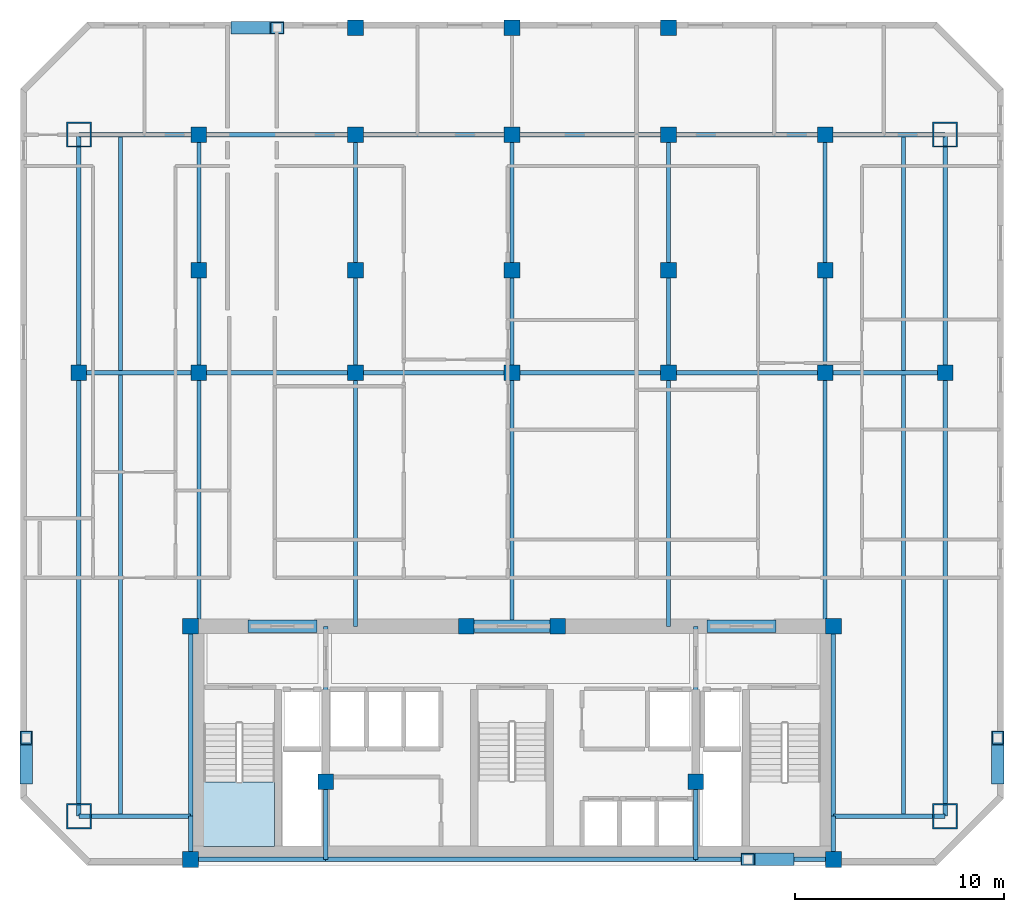
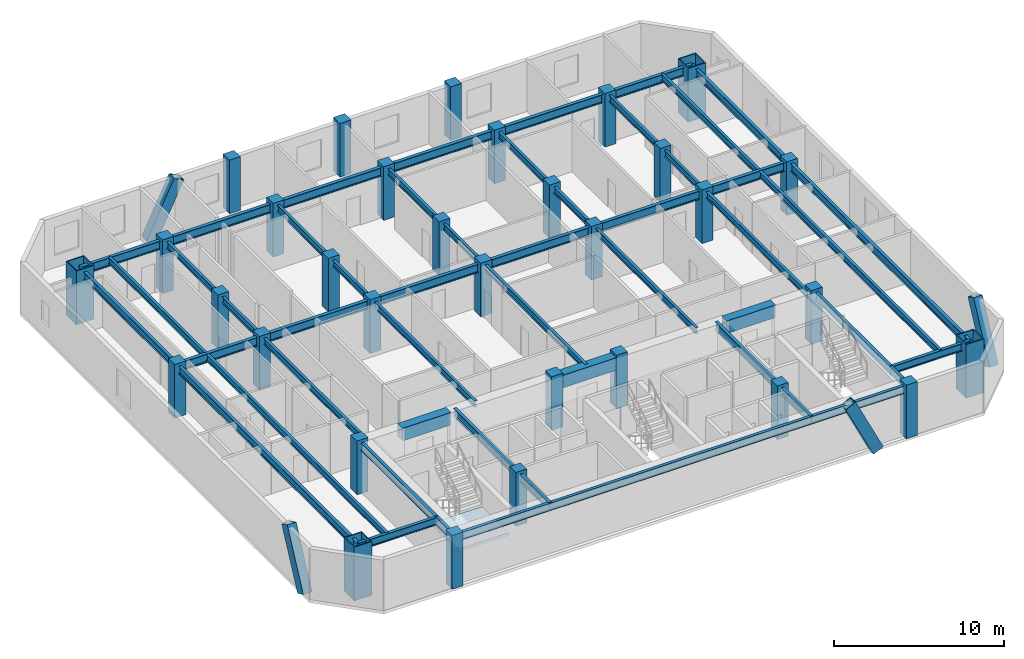
# One storey, part 1 of 8: 46 beams, 32 columns, 4 members, 1 slab, 1 element without a shape of its own.
"""IFC4 building model written with IfcOpenShell, lengths in metres."""

from ifc_helpers import new_model, si_unit, direction, frame, origin, origin_2d, place, context, subcontext, project, spatial, polyline, rectangle, hollow_rectangle, i_section, outline, extrude, material, layer, layer_set, material_profile, profile_set, type_object, element, aggregate, save


model = new_model("IFC4")

# Units and contexts
model_context = context("Model", 3, precision=1e-05, world=origin(), true_north=direction((0.0, 1.0)))
body_context = subcontext(model_context, "Body", "Model", "MODEL_VIEW")
ifc_project = project(units=[si_unit("LENGTHUNIT", "METRE"), si_unit("AREAUNIT", "SQUARE_METRE"), si_unit("VOLUMEUNIT", "CUBIC_METRE"), si_unit("PLANEANGLEUNIT", "RADIAN"), si_unit("MASSUNIT", "GRAM", prefix="KILO")], contexts=[model_context])

# Site, building, storey
site_placement = place(None, origin())
site = spatial("IfcSite", under=ifc_project, at=site_placement, CompositionType="ELEMENT")
building_placement = place(site_placement, origin())
building = spatial("IfcBuilding", under=site, at=building_placement, Name="Ventersveld Concourse Tower", CompositionType="ELEMENT")
storey_placement = place(building_placement, frame((0.0, 0.0, 160.60009765625)))
storey = spatial("IfcBuildingStorey", under=building, at=storey_placement, Name="L39", CompositionType="ELEMENT", Elevation=160.60009765625)

# Columns
ifc_material_1 = material(Name="Concrete C50/60", Category="concrete")
ifc_material_profile_1 = material_profile(ifc_material_1, rectangle(XDim=0.75, YDim=0.75, at=origin_2d()), Name="RC 750x750")
ifc_profile_set_1 = profile_set([ifc_material_profile_1], Name="Concrete C50/60")
column_type_1 = type_object("IfcColumnType", Name="COL-RC750", PredefinedType="COLUMN", material=ifc_profile_set_1)
for number, where, z_axis, x_axis, name in (
    (1, (13.35009765625, 0.280029296875, 0.0), (0.0, 0.0, 1.0), (1.0, 0.0, 0.0), "L39 Core Spine Column CC-SW"),
    (2, (44.14990234375, 0.280029296875, 0.0), (0.0, 0.0, 1.0), (1.0, 0.0, 0.0), "L39 Core Spine Column CC-SE"),
    (3, (13.35009765625, 11.449951171875, 0.0), (0.0, 0.0, 1.0), (1.0, 0.0, 0.0), "L39 Core Spine Column CC-NW"),
    (4, (44.14990234375, 11.449951171875, 0.0), (0.0, 0.0, 1.0), (1.0, 0.0, 0.0), "L39 Core Spine Column CC-NE"),
    (5, (19.820068359375, 4.0, 0.0), (0.0, 0.0, 1.0), (1.0, 0.0, 0.0), "L39 Core Spine Column CM-1"),
    (6, (37.550048828125, 4.0, 0.0), (0.0, 0.0, 1.0), (1.0, 0.0, 0.0), "L39 Core Spine Column CM-2"),
    (7, (26.550048828125, 11.449951171875, 0.0), (0.0, 0.0, 1.0), (1.0, 0.0, 0.0), "L39 Core Spine Column CM-3"),
    (8, (30.949951171875, 11.449951171875, 0.0), (0.0, 0.0, 1.0), (1.0, 0.0, 0.0), "L39 Core Spine Column CM-4"),
    (9, (8.0, 23.60009765625, 0.0), (0.0, 0.0, 1.0), (1.0, 0.0, 0.0), "L39 Interior Gravity Column X=8.00 Y=23.60"),
    (10, (13.75, 23.60009765625, 0.0), (0.0, 0.0, 1.0), (1.0, 0.0, 0.0), "L39 Interior Gravity Column X=13.75 Y=23.60"),
    (11, (21.25, 23.60009765625, 0.0), (0.0, 0.0, 1.0), (1.0, 0.0, 0.0), "L39 Interior Gravity Column X=21.25 Y=23.60"),
    (12, (28.75, 23.60009765625, 0.0), (0.0, 0.0, 1.0), (1.0, 0.0, 0.0), "L39 Interior Gravity Column X=28.75 Y=23.60"),
    (13, (36.25, 23.60009765625, 0.0), (0.0, 0.0, 1.0), (1.0, 0.0, 0.0), "L39 Interior Gravity Column X=36.25 Y=23.60"),
    (14, (43.75, 23.60009765625, 0.0), (0.0, 0.0, 1.0), (1.0, 0.0, 0.0), "L39 Interior Gravity Column X=43.75 Y=23.60"),
    (15, (49.5, 23.60009765625, 0.0), (0.0, 0.0, 1.0), (1.0, 0.0, 0.0), "L39 Interior Gravity Column X=49.50 Y=23.60"),
    (16, (13.75, 28.5, 0.0), (0.0, 0.0, 1.0), (1.0, 0.0, 0.0), "L39 Upper-North Gravity Column X=13.75 Y=28.50"),
    (17, (21.25, 28.5, 0.0), (0.0, 0.0, 1.0), (1.0, 0.0, 0.0), "L39 Upper-North Gravity Column X=21.25 Y=28.50"),
    (18, (28.75, 28.5, 0.0), (0.0, 0.0, 1.0), (1.0, 0.0, 0.0), "L39 Upper-North Gravity Column X=28.75 Y=28.50"),
    (19, (36.25, 28.5, 0.0), (0.0, 0.0, 1.0), (1.0, 0.0, 0.0), "L39 Upper-North Gravity Column X=36.25 Y=28.50"),
    (20, (43.75, 28.5, 0.0), (0.0, 0.0, 1.0), (1.0, 0.0, 0.0), "L39 Upper-North Gravity Column X=43.75 Y=28.50"),
    (21, (21.25, 40.1201171875, 0.0), (0.0, 0.0, 1.0), (1.0, 0.0, 0.0), "L39 North Brace Node Column X=21.25 Y=40.12"),
    (22, (28.75, 40.1201171875, 0.0), (0.0, 0.0, 1.0), (1.0, 0.0, 0.0), "L39 North Brace Node Column X=28.75 Y=40.12"),
    (23, (36.25, 40.1201171875, 0.0), (0.0, 0.0, 1.0), (1.0, 0.0, 0.0), "L39 North Brace Node Column X=36.25 Y=40.12"),
    (24, (13.75, 35.0, 0.0), (0.0, 0.0, 1.0), (1.0, 0.0, 0.0), "L39 Mid-North Column X=13.75 Y=35.00"),
    (25, (21.25, 35.0, 0.0), (0.0, 0.0, 1.0), (1.0, 0.0, 0.0), "L39 Mid-North Column X=21.25 Y=35.00"),
    (26, (28.75, 35.0, 0.0), (0.0, 0.0, 1.0), (1.0, 0.0, 0.0), "L39 Mid-North Column X=28.75 Y=35.00"),
    (27, (36.25, 35.0, 0.0), (0.0, 0.0, 1.0), (1.0, 0.0, 0.0), "L39 Mid-North Column X=36.25 Y=35.00"),
    (28, (43.75, 35.0, 0.0), (0.0, 0.0, 1.0), (1.0, 0.0, 0.0), "L39 Mid-North Column X=43.75 Y=35.00"),
):
    element("IfcColumn", number, at=place(storey_placement, frame(where, z_axis=z_axis, x_axis=x_axis)), inside=storey, type_object=column_type_1, Name=name, PredefinedType="COLUMN", context=body_context, shape_type="SweptSolid", body=[
        extrude(rectangle(XDim=0.75, YDim=0.75, at=origin_2d()), origin(), (0.0, 0.0, 1.0), 3.849853515625),
    ])
ifc_material_2 = material(Name="Structural steel S460ML", Category="steel")
ifc_material_profile_2 = material_profile(ifc_material_2, hollow_rectangle(XDim=1.199951171875, YDim=1.199951171875, WallThickness=0.070068359375, at=origin_2d()), Name="BOX 1200x1200x70")
ifc_profile_set_2 = profile_set([ifc_material_profile_2], Name="Structural steel S460ML")
column_type_2 = type_object("IfcColumnType", Name="MC-1200", PredefinedType="USERDEFINED", material=ifc_profile_set_2)
for number, where, z_axis, x_axis, name in (
    (29, (8.0, 2.35009765625, 0.0), (0.0, 0.0, 1.0), (1.0, 0.0, 0.0), "L39 Corner Mega-Column MC-SW"),
    (30, (49.5, 2.35009765625, 0.0), (0.0, 0.0, 1.0), (1.0, 0.0, 0.0), "L39 Corner Mega-Column MC-SE"),
    (31, (49.5, 35.0, 0.0), (0.0, 0.0, 1.0), (1.0, 0.0, 0.0), "L39 Corner Mega-Column MC-NE"),
    (32, (8.0, 35.0, 0.0), (0.0, 0.0, 1.0), (1.0, 0.0, 0.0), "L39 Corner Mega-Column MC-NW"),
):
    element("IfcColumn", number, at=place(storey_placement, frame(where, z_axis=z_axis, x_axis=x_axis)), inside=storey, type_object=column_type_2, Name=name, ObjectType="MEGA_COLUMN", PredefinedType="USERDEFINED", context=body_context, shape_type="SweptSolid", body=[
        extrude(hollow_rectangle(XDim=1.199951171875, YDim=1.199951171875, WallThickness=0.070068359375, at=origin_2d()), origin(), (0.0, 0.0, 1.0), 3.849853515625),
    ])

# Beams
ifc_material_3 = material(Name="Structural steel S355J2", Category="steel")
ifc_material_profile_3 = material_profile(ifc_material_3, i_section(OverallWidth=0.18994140625, OverallDepth=0.453369140625, WebThickness=0.008544921875, FlangeThickness=0.0126953125, FilletRadius=0.01025390625, at=origin_2d()), Name="UB 457x191x67")
ifc_profile_set_3 = profile_set([ifc_material_profile_3], Name="Structural steel S355J2")
beam_type_1 = type_object("IfcBeamType", Name="BM-UB457", PredefinedType="BEAM", material=ifc_profile_set_3)
beam_1_placement = place(storey_placement, frame((10.0, 2.35009765625, 3.4033203125), z_axis=(0.0, 1.0, 0.0), x_axis=(-1.0, 0.0, 0.0)))
element("IfcBeam", 33, at=beam_1_placement, inside=storey, type_object=beam_type_1, Name="L39 N-S Composite Floor Beam South X=10.00", PredefinedType="BEAM", context=body_context, shape_type="SweptSolid", body=[
    extrude(i_section(OverallWidth=0.18994140625, OverallDepth=0.453369140625, WebThickness=0.008544921875, FlangeThickness=0.0126953125, FilletRadius=0.01025390625, at=origin_2d()), origin(), (0.0, 0.0, 1.0), 21.15478515625),
])
beam_2_placement = place(storey_placement, frame((10.0, 23.695068359375, 3.4033203125), z_axis=(0.0, 1.0, 0.0), x_axis=(-1.0, 0.0, 0.0)))
element("IfcBeam", 34, at=beam_2_placement, inside=storey, type_object=beam_type_1, Name="L39 N-S Composite Floor Beam Mid X=10.00", PredefinedType="BEAM", context=body_context, shape_type="SweptSolid", body=[
    extrude(i_section(OverallWidth=0.18994140625, OverallDepth=0.453369140625, WebThickness=0.008544921875, FlangeThickness=0.0126953125, FilletRadius=0.01025390625, at=origin_2d()), origin(), (0.0, 0.0, 1.0), 11.304931640625),
])
beam_3_placement = place(storey_placement, frame((13.75, 11.449951171875, 3.4033203125), z_axis=(0.0, 1.0, 0.0), x_axis=(-1.0, 0.0, 0.0)))
element("IfcBeam", 35, at=beam_3_placement, inside=storey, type_object=beam_type_1, Name="L39 N-S Composite Floor Beam South X=13.75", PredefinedType="BEAM", context=body_context, shape_type="SweptSolid", body=[
    extrude(i_section(OverallWidth=0.18994140625, OverallDepth=0.453369140625, WebThickness=0.008544921875, FlangeThickness=0.0126953125, FilletRadius=0.01025390625, at=origin_2d()), origin(), (0.0, 0.0, 1.0), 12.150146484375),
])
beam_4_placement = place(storey_placement, frame((13.75, 23.60009765625, 3.4033203125), z_axis=(0.0, 1.0, 0.0), x_axis=(-1.0, 0.0, 0.0)))
element("IfcBeam", 36, at=beam_4_placement, inside=storey, type_object=beam_type_1, Name="L39 N-S Composite Floor Beam Mid X=13.75", PredefinedType="BEAM", context=body_context, shape_type="SweptSolid", body=[
    extrude(i_section(OverallWidth=0.18994140625, OverallDepth=0.453369140625, WebThickness=0.008544921875, FlangeThickness=0.0126953125, FilletRadius=0.01025390625, at=origin_2d()), origin(), (0.0, 0.0, 1.0), 11.39990234375),
])
beam_5_placement = place(storey_placement, frame((21.25, 11.449951171875, 3.4033203125), z_axis=(0.0, 1.0, 0.0), x_axis=(-1.0, 0.0, 0.0)))
element("IfcBeam", 37, at=beam_5_placement, inside=storey, type_object=beam_type_1, Name="L39 N-S Composite Floor Beam South X=21.25", PredefinedType="BEAM", context=body_context, shape_type="SweptSolid", body=[
    extrude(i_section(OverallWidth=0.18994140625, OverallDepth=0.453369140625, WebThickness=0.008544921875, FlangeThickness=0.0126953125, FilletRadius=0.01025390625, at=origin_2d()), origin(), (0.0, 0.0, 1.0), 12.150146484375),
])
beam_6_placement = place(storey_placement, frame((21.25, 23.60009765625, 3.4033203125), z_axis=(0.0, 1.0, 0.0), x_axis=(-1.0, 0.0, 0.0)))
element("IfcBeam", 38, at=beam_6_placement, inside=storey, type_object=beam_type_1, Name="L39 N-S Composite Floor Beam Mid X=21.25", PredefinedType="BEAM", context=body_context, shape_type="SweptSolid", body=[
    extrude(i_section(OverallWidth=0.18994140625, OverallDepth=0.453369140625, WebThickness=0.008544921875, FlangeThickness=0.0126953125, FilletRadius=0.01025390625, at=origin_2d()), origin(), (0.0, 0.0, 1.0), 11.39990234375),
])
beam_7_placement = place(storey_placement, frame((28.75, 11.449951171875, 3.4033203125), z_axis=(0.0, 1.0, 0.0), x_axis=(-1.0, 0.0, 0.0)))
element("IfcBeam", 39, at=beam_7_placement, inside=storey, type_object=beam_type_1, Name="L39 N-S Composite Floor Beam South X=28.75", PredefinedType="BEAM", context=body_context, shape_type="SweptSolid", body=[
    extrude(i_section(OverallWidth=0.18994140625, OverallDepth=0.453369140625, WebThickness=0.008544921875, FlangeThickness=0.0126953125, FilletRadius=0.01025390625, at=origin_2d()), origin(), (0.0, 0.0, 1.0), 12.150146484375),
])
beam_8_placement = place(storey_placement, frame((28.75, 23.60009765625, 3.4033203125), z_axis=(0.0, 1.0, 0.0), x_axis=(-1.0, 0.0, 0.0)))
element("IfcBeam", 40, at=beam_8_placement, inside=storey, type_object=beam_type_1, Name="L39 N-S Composite Floor Beam Mid X=28.75", PredefinedType="BEAM", context=body_context, shape_type="SweptSolid", body=[
    extrude(i_section(OverallWidth=0.18994140625, OverallDepth=0.453369140625, WebThickness=0.008544921875, FlangeThickness=0.0126953125, FilletRadius=0.01025390625, at=origin_2d()), origin(), (0.0, 0.0, 1.0), 11.39990234375),
])
beam_9_placement = place(storey_placement, frame((36.25, 11.449951171875, 3.4033203125), z_axis=(0.0, 1.0, 0.0), x_axis=(-1.0, 0.0, 0.0)))
element("IfcBeam", 41, at=beam_9_placement, inside=storey, type_object=beam_type_1, Name="L39 N-S Composite Floor Beam South X=36.25", PredefinedType="BEAM", context=body_context, shape_type="SweptSolid", body=[
    extrude(i_section(OverallWidth=0.18994140625, OverallDepth=0.453369140625, WebThickness=0.008544921875, FlangeThickness=0.0126953125, FilletRadius=0.01025390625, at=origin_2d()), origin(), (0.0, 0.0, 1.0), 12.150146484375),
])
beam_10_placement = place(storey_placement, frame((36.25, 23.60009765625, 3.4033203125), z_axis=(0.0, 1.0, 0.0), x_axis=(-1.0, 0.0, 0.0)))
element("IfcBeam", 42, at=beam_10_placement, inside=storey, type_object=beam_type_1, Name="L39 N-S Composite Floor Beam Mid X=36.25", PredefinedType="BEAM", context=body_context, shape_type="SweptSolid", body=[
    extrude(i_section(OverallWidth=0.18994140625, OverallDepth=0.453369140625, WebThickness=0.008544921875, FlangeThickness=0.0126953125, FilletRadius=0.01025390625, at=origin_2d()), origin(), (0.0, 0.0, 1.0), 11.39990234375),
])
beam_11_placement = place(storey_placement, frame((43.75, 11.449951171875, 3.4033203125), z_axis=(0.0, 1.0, 0.0), x_axis=(-1.0, 0.0, 0.0)))
element("IfcBeam", 43, at=beam_11_placement, inside=storey, type_object=beam_type_1, Name="L39 N-S Composite Floor Beam South X=43.75", PredefinedType="BEAM", context=body_context, shape_type="SweptSolid", body=[
    extrude(i_section(OverallWidth=0.18994140625, OverallDepth=0.453369140625, WebThickness=0.008544921875, FlangeThickness=0.0126953125, FilletRadius=0.01025390625, at=origin_2d()), origin(), (0.0, 0.0, 1.0), 12.150146484375),
])
beam_12_placement = place(storey_placement, frame((43.75, 23.60009765625, 3.4033203125), z_axis=(0.0, 1.0, 0.0), x_axis=(-1.0, 0.0, 0.0)))
element("IfcBeam", 44, at=beam_12_placement, inside=storey, type_object=beam_type_1, Name="L39 N-S Composite Floor Beam Mid X=43.75", PredefinedType="BEAM", context=body_context, shape_type="SweptSolid", body=[
    extrude(i_section(OverallWidth=0.18994140625, OverallDepth=0.453369140625, WebThickness=0.008544921875, FlangeThickness=0.0126953125, FilletRadius=0.01025390625, at=origin_2d()), origin(), (0.0, 0.0, 1.0), 11.39990234375),
])
beam_13_placement = place(storey_placement, frame((47.5, 2.35009765625, 3.4033203125), z_axis=(0.0, 1.0, 0.0), x_axis=(-1.0, 0.0, 0.0)))
element("IfcBeam", 45, at=beam_13_placement, inside=storey, type_object=beam_type_1, Name="L39 N-S Composite Floor Beam South X=47.50", PredefinedType="BEAM", context=body_context, shape_type="SweptSolid", body=[
    extrude(i_section(OverallWidth=0.18994140625, OverallDepth=0.453369140625, WebThickness=0.008544921875, FlangeThickness=0.0126953125, FilletRadius=0.01025390625, at=origin_2d()), origin(), (0.0, 0.0, 1.0), 21.15478515625),
])
beam_14_placement = place(storey_placement, frame((47.5, 23.695068359375, 3.4033203125), z_axis=(0.0, 1.0, 0.0), x_axis=(-1.0, 0.0, 0.0)))
element("IfcBeam", 46, at=beam_14_placement, inside=storey, type_object=beam_type_1, Name="L39 N-S Composite Floor Beam Mid X=47.50", PredefinedType="BEAM", context=body_context, shape_type="SweptSolid", body=[
    extrude(i_section(OverallWidth=0.18994140625, OverallDepth=0.453369140625, WebThickness=0.008544921875, FlangeThickness=0.0126953125, FilletRadius=0.01025390625, at=origin_2d()), origin(), (0.0, 0.0, 1.0), 11.304931640625),
])
ifc_material_4 = material(Name="Concrete C60/75", Category="concrete")
ifc_material_profile_4 = material_profile(ifc_material_4, rectangle(XDim=0.60009765625, YDim=0.89990234375, at=origin_2d()), Name="RC 600x900")
ifc_profile_set_4 = profile_set([ifc_material_profile_4], Name="Concrete C60/75")
beam_type_2 = type_object("IfcBeamType", Name="CB-RC600x900L", PredefinedType="LINTEL", material=ifc_profile_set_4)
beam_15_placement = place(storey_placement, frame((16.10009765625, 11.449951171875, 3.179931640625), z_axis=(1.0, 0.0, 0.0), x_axis=(0.0, 1.0, 0.0)))
element("IfcBeam", 47, at=beam_15_placement, inside=storey, type_object=beam_type_2, Name="L39 Core Coupling Lintel Beam 1", PredefinedType="LINTEL", context=body_context, shape_type="SweptSolid", body=[
    extrude(rectangle(XDim=0.60009765625, YDim=0.89990234375, at=origin_2d()), origin(), (0.0, 0.0, 1.0), 3.2998046875),
])
beam_16_placement = place(storey_placement, frame((26.5, 11.449951171875, 3.179931640625), z_axis=(1.0, 0.0, 0.0), x_axis=(0.0, 1.0, 0.0)))
element("IfcBeam", 48, at=beam_16_placement, inside=storey, type_object=beam_type_2, Name="L39 Core Coupling Lintel Beam 2", PredefinedType="LINTEL", context=body_context, shape_type="SweptSolid", body=[
    extrude(rectangle(XDim=0.60009765625, YDim=0.89990234375, at=origin_2d()), origin(), (0.0, 0.0, 1.0), 4.5),
])
beam_17_placement = place(storey_placement, frame((38.10009765625, 11.449951171875, 3.179931640625), z_axis=(1.0, 0.0, 0.0), x_axis=(0.0, 1.0, 0.0)))
element("IfcBeam", 49, at=beam_17_placement, inside=storey, type_object=beam_type_2, Name="L39 Core Coupling Lintel Beam 3", PredefinedType="LINTEL", context=body_context, shape_type="SweptSolid", body=[
    extrude(rectangle(XDim=0.60009765625, YDim=0.89990234375, at=origin_2d()), origin(), (0.0, 0.0, 1.0), 3.2998046875),
])
ifc_material_profile_5 = material_profile(ifc_material_3, i_section(OverallWidth=0.2119140625, OverallDepth=0.54443359375, WebThickness=0.0126953125, FlangeThickness=0.021240234375, FilletRadius=0.0126953125, at=origin_2d()), Name="UB 533x210x122")
ifc_profile_set_5 = profile_set([ifc_material_profile_5], Name="Structural steel S355J2")
beam_type_3 = type_object("IfcBeamType", Name="GRD-UB533H", PredefinedType="T_BEAM", material=ifc_profile_set_5)
beam_18_placement = place(storey_placement, frame((13.35009765625, 0.280029296875, 3.357666015625), z_axis=(0.0, 1.0, 0.0), x_axis=(-1.0, 0.0, 0.0)))
element("IfcBeam", 50, at=beam_18_placement, inside=storey, type_object=beam_type_3, Name="L39 Core West Tie Beam S", PredefinedType="T_BEAM", context=body_context, shape_type="SweptSolid", body=[
    extrude(i_section(OverallWidth=0.2119140625, OverallDepth=0.54443359375, WebThickness=0.0126953125, FlangeThickness=0.021240234375, FilletRadius=0.0126953125, at=origin_2d()), origin(), (0.0, 0.0, 1.0), 2.070068359375),
])
beam_19_placement = place(storey_placement, frame((13.35009765625, 2.35009765625, 3.357666015625), z_axis=(0.0, 1.0, 0.0), x_axis=(-1.0, 0.0, 0.0)))
element("IfcBeam", 51, at=beam_19_placement, inside=storey, type_object=beam_type_3, Name="L39 Core West Tie Beam N", PredefinedType="T_BEAM", context=body_context, shape_type="SweptSolid", body=[
    extrude(i_section(OverallWidth=0.2119140625, OverallDepth=0.54443359375, WebThickness=0.0126953125, FlangeThickness=0.021240234375, FilletRadius=0.0126953125, at=origin_2d()), origin(), (0.0, 0.0, 1.0), 9.099853515625),
])
beam_20_placement = place(storey_placement, frame((44.14990234375, 0.280029296875, 3.357666015625), z_axis=(0.0, 1.0, 0.0), x_axis=(-1.0, 0.0, 0.0)))
element("IfcBeam", 52, at=beam_20_placement, inside=storey, type_object=beam_type_3, Name="L39 Core East Tie Beam S", PredefinedType="T_BEAM", context=body_context, shape_type="SweptSolid", body=[
    extrude(i_section(OverallWidth=0.2119140625, OverallDepth=0.54443359375, WebThickness=0.0126953125, FlangeThickness=0.021240234375, FilletRadius=0.0126953125, at=origin_2d()), origin(), (0.0, 0.0, 1.0), 2.070068359375),
])
beam_21_placement = place(storey_placement, frame((44.14990234375, 2.35009765625, 3.357666015625), z_axis=(0.0, 1.0, 0.0), x_axis=(-1.0, 0.0, 0.0)))
element("IfcBeam", 53, at=beam_21_placement, inside=storey, type_object=beam_type_3, Name="L39 Core East Tie Beam N", PredefinedType="T_BEAM", context=body_context, shape_type="SweptSolid", body=[
    extrude(i_section(OverallWidth=0.2119140625, OverallDepth=0.54443359375, WebThickness=0.0126953125, FlangeThickness=0.021240234375, FilletRadius=0.0126953125, at=origin_2d()), origin(), (0.0, 0.0, 1.0), 9.099853515625),
])
beam_22_placement = place(storey_placement, frame((13.35009765625, 0.280029296875, 3.357666015625), z_axis=(1.0, 0.0, 0.0), x_axis=(0.0, 1.0, 0.0)))
element("IfcBeam", 54, at=beam_22_placement, inside=storey, type_object=beam_type_3, Name="L39 Core South Tie Beam W", PredefinedType="T_BEAM", context=body_context, shape_type="SweptSolid", body=[
    extrude(i_section(OverallWidth=0.2119140625, OverallDepth=0.54443359375, WebThickness=0.0126953125, FlangeThickness=0.021240234375, FilletRadius=0.0126953125, at=origin_2d()), origin(), (0.0, 0.0, 1.0), 6.469970703125),
])
beam_23_placement = place(storey_placement, frame((19.820068359375, 0.280029296875, 3.357666015625), z_axis=(1.0, 0.0, 0.0), x_axis=(0.0, 1.0, 0.0)))
element("IfcBeam", 55, at=beam_23_placement, inside=storey, type_object=beam_type_3, Name="L39 Core South Tie Beam C", PredefinedType="T_BEAM", context=body_context, shape_type="SweptSolid", body=[
    extrude(i_section(OverallWidth=0.2119140625, OverallDepth=0.54443359375, WebThickness=0.0126953125, FlangeThickness=0.021240234375, FilletRadius=0.0126953125, at=origin_2d()), origin(), (0.0, 0.0, 1.0), 17.72998046875),
])
beam_24_placement = place(storey_placement, frame((37.550048828125, 0.280029296875, 3.357666015625), z_axis=(1.0, 0.0, 0.0), x_axis=(0.0, 1.0, 0.0)))
element("IfcBeam", 56, at=beam_24_placement, inside=storey, type_object=beam_type_3, Name="L39 Core South Tie Beam E", PredefinedType="T_BEAM", context=body_context, shape_type="SweptSolid", body=[
    extrude(i_section(OverallWidth=0.2119140625, OverallDepth=0.54443359375, WebThickness=0.0126953125, FlangeThickness=0.021240234375, FilletRadius=0.0126953125, at=origin_2d()), origin(), (0.0, 0.0, 1.0), 6.599853515625),
])
beam_25_placement = place(storey_placement, frame((19.820068359375, 0.280029296875, 3.357666015625), z_axis=(0.0, 1.0, 0.0), x_axis=(-1.0, 0.0, 0.0)))
element("IfcBeam", 57, at=beam_25_placement, inside=storey, type_object=beam_type_3, Name="L39 Core Spine N-S Tie Beam W1", PredefinedType="T_BEAM", context=body_context, shape_type="SweptSolid", body=[
    extrude(i_section(OverallWidth=0.2119140625, OverallDepth=0.54443359375, WebThickness=0.0126953125, FlangeThickness=0.021240234375, FilletRadius=0.0126953125, at=origin_2d()), origin(), (0.0, 0.0, 1.0), 3.719970703125),
])
beam_26_placement = place(storey_placement, frame((19.820068359375, 4.0, 3.357666015625), z_axis=(0.0, 1.0, 0.0), x_axis=(-1.0, 0.0, 0.0)))
element("IfcBeam", 58, at=beam_26_placement, inside=storey, type_object=beam_type_3, Name="L39 Core Spine N-S Tie Beam W2", PredefinedType="T_BEAM", context=body_context, shape_type="SweptSolid", body=[
    extrude(i_section(OverallWidth=0.2119140625, OverallDepth=0.54443359375, WebThickness=0.0126953125, FlangeThickness=0.021240234375, FilletRadius=0.0126953125, at=origin_2d()), origin(), (0.0, 0.0, 1.0), 7.449951171875),
])
beam_27_placement = place(storey_placement, frame((37.550048828125, 0.280029296875, 3.357666015625), z_axis=(0.0, 1.0, 0.0), x_axis=(-1.0, 0.0, 0.0)))
element("IfcBeam", 59, at=beam_27_placement, inside=storey, type_object=beam_type_3, Name="L39 Core Spine N-S Tie Beam E1", PredefinedType="T_BEAM", context=body_context, shape_type="SweptSolid", body=[
    extrude(i_section(OverallWidth=0.2119140625, OverallDepth=0.54443359375, WebThickness=0.0126953125, FlangeThickness=0.021240234375, FilletRadius=0.0126953125, at=origin_2d()), origin(), (0.0, 0.0, 1.0), 3.719970703125),
])
beam_28_placement = place(storey_placement, frame((37.550048828125, 4.0, 3.357666015625), z_axis=(0.0, 1.0, 0.0), x_axis=(-1.0, 0.0, 0.0)))
element("IfcBeam", 60, at=beam_28_placement, inside=storey, type_object=beam_type_3, Name="L39 Core Spine N-S Tie Beam E2", PredefinedType="T_BEAM", context=body_context, shape_type="SweptSolid", body=[
    extrude(i_section(OverallWidth=0.2119140625, OverallDepth=0.54443359375, WebThickness=0.0126953125, FlangeThickness=0.021240234375, FilletRadius=0.0126953125, at=origin_2d()), origin(), (0.0, 0.0, 1.0), 7.449951171875),
])
ifc_material_profile_6 = material_profile(ifc_material_3, i_section(OverallWidth=0.230224609375, OverallDepth=0.6171875, WebThickness=0.01318359375, FlangeThickness=0.022216796875, FilletRadius=0.0126953125, at=origin_2d()), Name="UB 610x229x140")
ifc_profile_set_6 = profile_set([ifc_material_profile_6], Name="Structural steel S355J2")
beam_type_4 = type_object("IfcBeamType", Name="GRD-UB610", PredefinedType="USERDEFINED", material=ifc_profile_set_6)
beam_29_placement = place(storey_placement, frame((8.0, 23.60009765625, 3.3212890625), z_axis=(1.0, 0.0, 0.0), x_axis=(0.0, 1.0, 0.0)))
element("IfcBeam", 61, at=beam_29_placement, inside=storey, type_object=beam_type_4, Name="L39 Primary E-W Grid Girder Y=23.60 #1", ObjectType="GIRDER", PredefinedType="USERDEFINED", context=body_context, shape_type="SweptSolid", body=[
    extrude(i_section(OverallWidth=0.230224609375, OverallDepth=0.6171875, WebThickness=0.01318359375, FlangeThickness=0.022216796875, FilletRadius=0.0126953125, at=origin_2d()), origin(), (0.0, 0.0, 1.0), 5.75),
])
for number, where, z_axis, x_axis, name in (
    (62, (13.75, 23.60009765625, 3.3212890625), (1.0, 0.0, 0.0), (0.0, 1.0, 0.0), "L39 Primary E-W Grid Girder Y=23.60 #2"),
    (63, (21.25, 23.60009765625, 3.3212890625), (1.0, 0.0, 0.0), (0.0, 1.0, 0.0), "L39 Primary E-W Grid Girder Y=23.60 #3"),
    (64, (28.75, 23.60009765625, 3.3212890625), (1.0, 0.0, 0.0), (0.0, 1.0, 0.0), "L39 Primary E-W Grid Girder Y=23.60 #4"),
    (65, (36.25, 23.60009765625, 3.3212890625), (1.0, 0.0, 0.0), (0.0, 1.0, 0.0), "L39 Primary E-W Grid Girder Y=23.60 #5"),
):
    element("IfcBeam", number, at=place(storey_placement, frame(where, z_axis=z_axis, x_axis=x_axis)), inside=storey, type_object=beam_type_4, Name=name, ObjectType="GIRDER", PredefinedType="USERDEFINED", context=body_context, shape_type="SweptSolid", body=[
        extrude(i_section(OverallWidth=0.230224609375, OverallDepth=0.6171875, WebThickness=0.01318359375, FlangeThickness=0.022216796875, FilletRadius=0.0126953125, at=origin_2d()), origin(), (0.0, 0.0, 1.0), 7.5),
    ])
for number, where, z_axis, x_axis, name in (
    (66, (43.75, 23.60009765625, 3.3212890625), (1.0, 0.0, 0.0), (0.0, 1.0, 0.0), "L39 Primary E-W Grid Girder Y=23.60 #6"),
    (67, (8.0, 35.0, 3.3212890625), (1.0, 0.0, 0.0), (0.0, 1.0, 0.0), "L39 E-W Grid Girder Y=35.00 #1"),
):
    element("IfcBeam", number, at=place(storey_placement, frame(where, z_axis=z_axis, x_axis=x_axis)), inside=storey, type_object=beam_type_4, Name=name, ObjectType="GIRDER", PredefinedType="USERDEFINED", context=body_context, shape_type="SweptSolid", body=[
        extrude(i_section(OverallWidth=0.230224609375, OverallDepth=0.6171875, WebThickness=0.01318359375, FlangeThickness=0.022216796875, FilletRadius=0.0126953125, at=origin_2d()), origin(), (0.0, 0.0, 1.0), 5.75),
    ])
for number, where, z_axis, x_axis, name in (
    (68, (13.75, 35.0, 3.3212890625), (1.0, 0.0, 0.0), (0.0, 1.0, 0.0), "L39 E-W Grid Girder Y=35.00 #2"),
    (69, (21.25, 35.0, 3.3212890625), (1.0, 0.0, 0.0), (0.0, 1.0, 0.0), "L39 E-W Grid Girder Y=35.00 #3"),
    (70, (28.75, 35.0, 3.3212890625), (1.0, 0.0, 0.0), (0.0, 1.0, 0.0), "L39 E-W Grid Girder Y=35.00 #4"),
    (71, (36.25, 35.0, 3.3212890625), (1.0, 0.0, 0.0), (0.0, 1.0, 0.0), "L39 E-W Grid Girder Y=35.00 #5"),
):
    element("IfcBeam", number, at=place(storey_placement, frame(where, z_axis=z_axis, x_axis=x_axis)), inside=storey, type_object=beam_type_4, Name=name, ObjectType="GIRDER", PredefinedType="USERDEFINED", context=body_context, shape_type="SweptSolid", body=[
        extrude(i_section(OverallWidth=0.230224609375, OverallDepth=0.6171875, WebThickness=0.01318359375, FlangeThickness=0.022216796875, FilletRadius=0.0126953125, at=origin_2d()), origin(), (0.0, 0.0, 1.0), 7.5),
    ])
beam_30_placement = place(storey_placement, frame((43.75, 35.0, 3.3212890625), z_axis=(1.0, 0.0, 0.0), x_axis=(0.0, 1.0, 0.0)))
element("IfcBeam", 72, at=beam_30_placement, inside=storey, type_object=beam_type_4, Name="L39 E-W Grid Girder Y=35.00 #6", ObjectType="GIRDER", PredefinedType="USERDEFINED", context=body_context, shape_type="SweptSolid", body=[
    extrude(i_section(OverallWidth=0.230224609375, OverallDepth=0.6171875, WebThickness=0.01318359375, FlangeThickness=0.022216796875, FilletRadius=0.0126953125, at=origin_2d()), origin(), (0.0, 0.0, 1.0), 5.75),
])

# Members
ifc_material_5 = material(Name="Structural steel S355ML", Category="steel")
ifc_material_profile_7 = material_profile(ifc_material_5, hollow_rectangle(XDim=0.60009765625, YDim=0.75, WallThickness=0.0400390625, at=origin_2d()), Name="BOX 750x600x40")
ifc_profile_set_7 = profile_set([ifc_material_profile_7], Name="Structural steel S355ML")
member_type = type_object("IfcMemberType", Name="MB-750x600", PredefinedType="BRACE", material=ifc_profile_set_7)
for number, where, z_axis, x_axis, name in (
    (73, (15.625, 40.1201171875, -0.22021484375), (0.437839464193, 0.0, 0.899053170616), (0.0, 1.0, 0.0), "L39 Exterior Mega-Brace N (Module M09)"),
    (74, (41.925048828125, 0.280029296875, -0.22021484375), (-0.437839464193, 0.0, 0.899053170616), (0.0, -1.0, 0.0), "L39 Exterior Mega-Brace S (Module M09)"),
    (75, (5.47998046875, 4.22509765625, -0.22021484375), (0.0, 0.437839464193, 0.899053170616), (-1.0, 0.0, 0.0), "L39 Exterior Mega-Brace W (Module M09)"),
    (76, (52.02001953125, 4.22509765625, -0.22021484375), (0.0, 0.437839464193, 0.899053170616), (-1.0, 0.0, 0.0), "L39 Exterior Mega-Brace E (Module M09)"),
):
    element("IfcMember", number, at=place(storey_placement, frame(where, z_axis=z_axis, x_axis=x_axis)), inside=storey, type_object=member_type, Name=name, PredefinedType="BRACE", context=body_context, shape_type="SweptSolid", body=[
        extrude(hollow_rectangle(XDim=0.60009765625, YDim=0.75, WallThickness=0.0400390625, at=origin_2d()), origin(), (0.0, 0.0, 1.0), 4.282470703125),
    ])

# Beams
ifc_material_profile_8 = material_profile(ifc_material_3, i_section(OverallWidth=0.2119140625, OverallDepth=0.54443359375, WebThickness=0.0126953125, FlangeThickness=0.021240234375, FilletRadius=0.0126953125, at=origin_2d()), Name="UB 533x210x122")
ifc_profile_set_8 = profile_set([ifc_material_profile_8], Name="Structural steel S355J2")
beam_type_5 = type_object("IfcBeamType", Name="SPD-UB533", PredefinedType="SPANDREL", material=ifc_profile_set_8)
for number, where, z_axis, x_axis, name in (
    (77, (8.0, 2.35009765625, 3.357666015625), (1.0, 0.0, 0.0), (0.0, 1.0, 0.0), "L39 SW Spandrel Beam"),
    (78, (44.14990234375, 2.35009765625, 3.357666015625), (1.0, 0.0, 0.0), (0.0, 1.0, 0.0), "L39 SE Spandrel Beam"),
):
    element("IfcBeam", number, at=place(storey_placement, frame(where, z_axis=z_axis, x_axis=x_axis)), inside=storey, type_object=beam_type_5, Name=name, PredefinedType="SPANDREL", context=body_context, shape_type="SweptSolid", body=[
        extrude(i_section(OverallWidth=0.2119140625, OverallDepth=0.54443359375, WebThickness=0.0126953125, FlangeThickness=0.021240234375, FilletRadius=0.0126953125, at=origin_2d()), origin(), (0.0, 0.0, 1.0), 5.35009765625),
    ])
beam_31_placement = place(storey_placement, frame((8.0, 2.35009765625, 3.357666015625), z_axis=(0.0, 1.0, 0.0), x_axis=(-1.0, 0.0, 0.0)))
element("IfcBeam", 79, at=beam_31_placement, inside=storey, type_object=beam_type_5, Name="L39 West Spandrel Beam S", PredefinedType="SPANDREL", context=body_context, shape_type="SweptSolid", body=[
    extrude(i_section(OverallWidth=0.2119140625, OverallDepth=0.54443359375, WebThickness=0.0126953125, FlangeThickness=0.021240234375, FilletRadius=0.0126953125, at=origin_2d()), origin(), (0.0, 0.0, 1.0), 21.25),
])
beam_32_placement = place(storey_placement, frame((8.0, 23.60009765625, 3.357666015625), z_axis=(0.0, 1.0, 0.0), x_axis=(-1.0, 0.0, 0.0)))
element("IfcBeam", 80, at=beam_32_placement, inside=storey, type_object=beam_type_5, Name="L39 West Spandrel Beam N", PredefinedType="SPANDREL", context=body_context, shape_type="SweptSolid", body=[
    extrude(i_section(OverallWidth=0.2119140625, OverallDepth=0.54443359375, WebThickness=0.0126953125, FlangeThickness=0.021240234375, FilletRadius=0.0126953125, at=origin_2d()), origin(), (0.0, 0.0, 1.0), 11.39990234375),
])
beam_33_placement = place(storey_placement, frame((49.5, 2.35009765625, 3.357666015625), z_axis=(0.0, 1.0, 0.0), x_axis=(-1.0, 0.0, 0.0)))
element("IfcBeam", 81, at=beam_33_placement, inside=storey, type_object=beam_type_5, Name="L39 East Spandrel Beam S", PredefinedType="SPANDREL", context=body_context, shape_type="SweptSolid", body=[
    extrude(i_section(OverallWidth=0.2119140625, OverallDepth=0.54443359375, WebThickness=0.0126953125, FlangeThickness=0.021240234375, FilletRadius=0.0126953125, at=origin_2d()), origin(), (0.0, 0.0, 1.0), 21.25),
])
beam_34_placement = place(storey_placement, frame((49.5, 23.60009765625, 3.357666015625), z_axis=(0.0, 1.0, 0.0), x_axis=(-1.0, 0.0, 0.0)))
element("IfcBeam", 82, at=beam_34_placement, inside=storey, type_object=beam_type_5, Name="L39 East Spandrel Beam N", PredefinedType="SPANDREL", context=body_context, shape_type="SweptSolid", body=[
    extrude(i_section(OverallWidth=0.2119140625, OverallDepth=0.54443359375, WebThickness=0.0126953125, FlangeThickness=0.021240234375, FilletRadius=0.0126953125, at=origin_2d()), origin(), (0.0, 0.0, 1.0), 11.39990234375),
])

# Stair, slab
stair_type = type_object("IfcStairType", Name="ST-DOG-160", PredefinedType="HALF_TURN_STAIR", material=ifc_material_1)
stair_placement = place(storey_placement, origin())
stair = element("IfcStair", 83, at=stair_placement, inside=storey, type_object=stair_type, Name="L39 Protected Tower Escape Stair ST-01", PredefinedType="HALF_TURN_STAIR")
ifc_layer = layer(ifc_material_1, 0.199951171875)
ifc_layer_set = layer_set([ifc_layer], Name="Concrete C50/60")
slab_type = type_object("IfcSlabType", Name="SL-LND-200", PredefinedType="LANDING", material=ifc_layer_set)
slab_placement = place(storey_placement, frame((0.0, 0.0, 1.724853515625)))
slab = element("IfcSlab", 84, at=slab_placement, type_object=slab_type, Name="ST-01 landing 1", PredefinedType="LANDING", context=body_context, shape_type="SweptSolid", body=[
    extrude(outline(polyline([(13.97998046875, 4.0), (13.97998046875, 0.89990234375), (17.3798828125, 0.89990234375), (17.3798828125, 4.0), (13.97998046875, 4.0)])), origin(), (0.0, 0.0, 1.0), 0.199951171875),
])
aggregate(stair, [slab])

save(model, "model.ifc")
